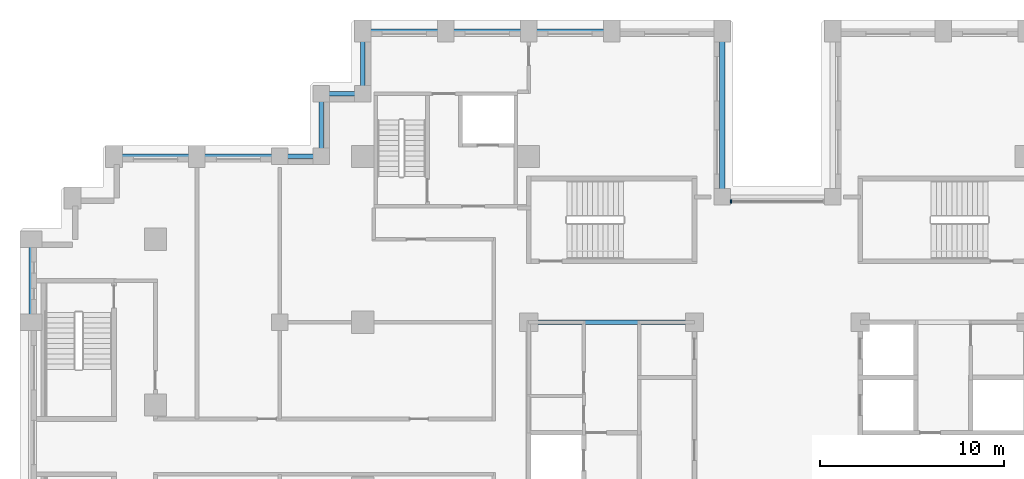
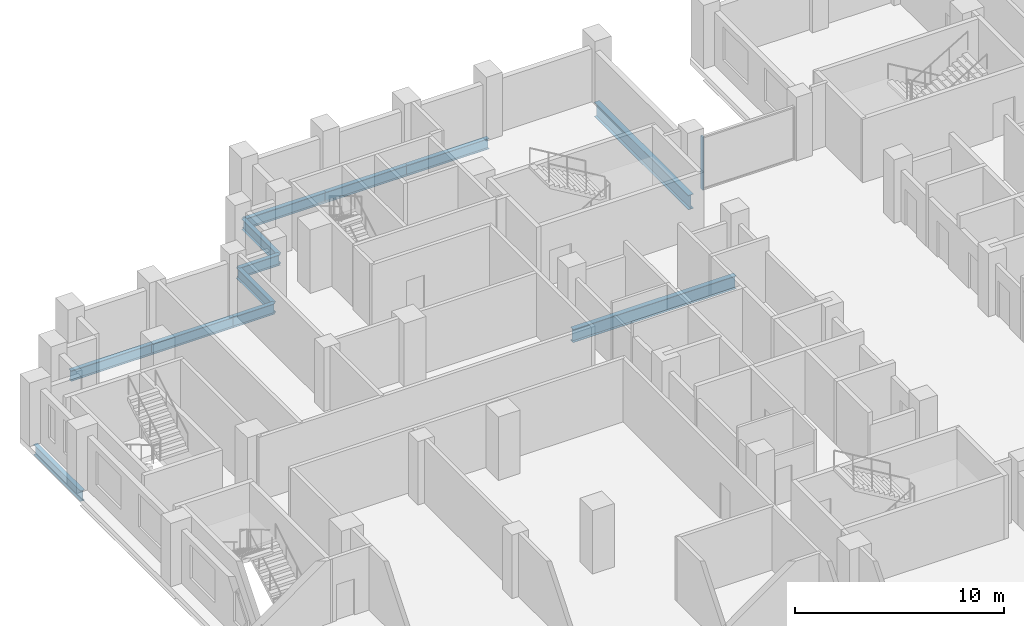
# One storey, part 3 of 16: 12 beams, 1 member, 1 element without a shape of its own.
"""IFC4 building model written with IfcOpenShell, lengths in metres."""

from ifc_helpers import new_model, si_unit, direction, frame, origin, origin_2d, place, context, subcontext, project, spatial, rectangle, i_section, extrude, material, layer, layer_set, material_profile, profile_set, type_object, element, aggregate, save


model = new_model("IFC4")

# Units and contexts
model_context = context("Model", 3, precision=1e-05, world=origin(), true_north=direction((0.0, 1.0)))
body_context = subcontext(model_context, "Body", "Model", "MODEL_VIEW")
ifc_project = project(units=[si_unit("LENGTHUNIT", "METRE"), si_unit("AREAUNIT", "SQUARE_METRE"), si_unit("VOLUMEUNIT", "CUBIC_METRE"), si_unit("PLANEANGLEUNIT", "RADIAN"), si_unit("MASSUNIT", "GRAM", prefix="KILO")], contexts=[model_context])

# Site, building, storey
site_placement = place(None, origin())
site = spatial("IfcSite", under=ifc_project, at=site_placement, CompositionType="ELEMENT")
building_placement = place(site_placement, origin())
building = spatial("IfcBuilding", under=site, at=building_placement, Name="Corbelhall Arena Tower", CompositionType="ELEMENT")
storey_placement = place(building_placement, frame((0.0, 0.0, 72.0)))
storey = spatial("IfcBuildingStorey", under=building, at=storey_placement, Name="L10", CompositionType="ELEMENT", Elevation=72.0)

# Curtain wall, member
ifc_material_1 = material(Name="Aluminium black anodised", Category="aluminium")
ifc_layer = layer(ifc_material_1, 0.199951171875)
ifc_layer_set = layer_set([ifc_layer], Name="EV-CW1 Slot back wall")
curtain_wall_type = type_object("IfcCurtainWallType", Name="EV-CW1 Slot back wall", PredefinedType="NOTDEFINED", material=ifc_layer_set)
curtain_wall_placement = place(storey_placement, origin())
curtain_wall = element("IfcCurtainWall", 1, at=curtain_wall_placement, inside=storey, type_object=curtain_wall_type, Name="Curtain wall CW1", PredefinedType="NOTDEFINED")
ifc_material_profile_1 = material_profile(ifc_material_1, rectangle(XDim=0.199951171875, YDim=0.074951171875, at=origin_2d()))
ifc_profile_set_1 = profile_set([ifc_material_profile_1], Name="Aluminium black anodised")
member_type = type_object("IfcMemberType", Name="EV-CW1-MULLION", PredefinedType="MULLION", material=ifc_profile_set_1)
member_placement = place(storey_placement, frame((-2.512451171875, 15.550048828125, 0.0), z_axis=(0.0, 0.0, 1.0), x_axis=(0.0, -1.0, 0.0)))
member = element("IfcMember", 2, at=member_placement, type_object=member_type, Name="CW1 mullion 2", PredefinedType="MULLION", context=body_context, shape_type="SweptSolid", body=[
    extrude(rectangle(XDim=0.199951171875, YDim=0.074951171875, at=origin_2d()), origin(), (0.0, 0.0, 1.0), 3.10009765625),
])
aggregate(curtain_wall, [member])

# Beams
ifc_material_2 = material(Name="Steel ASTM A992 Gr50", Category="steel")
ifc_material_profile_2 = material_profile(ifc_material_2, i_section(OverallWidth=0.2666015625, OverallDepth=0.761962890625, WebThickness=0.014404296875, FlangeThickness=0.021484375, at=origin_2d()))
ifc_profile_set_2 = profile_set([ifc_material_profile_2], Name="Steel ASTM A992 Gr50")
beam_type_1 = type_object("IfcBeamType", Name="ST-BEAM-W30x116", PredefinedType="BEAM", material=ifc_profile_set_2)
beam_1_placement = place(storey_placement, frame((-13.5, 9.0, -0.680908203125), z_axis=(1.0, 0.0, 0.0), x_axis=(0.0, 1.0, 0.0)))
element("IfcBeam", 3, at=beam_1_placement, inside=storey, type_object=beam_type_1, Name="Beam CEW 6", PredefinedType="BEAM", context=body_context, shape_type="SweptSolid", body=[
    extrude(i_section(OverallWidth=0.2666015625, OverallDepth=0.761962890625, WebThickness=0.014404296875, FlangeThickness=0.021484375, at=origin_2d()), origin(), (0.0, 0.0, 1.0), 9.0),
])
ifc_material_profile_3 = material_profile(ifc_material_2, i_section(OverallWidth=0.23046875, OverallDepth=0.6171875, WebThickness=0.01318359375, FlangeThickness=0.022216796875, at=origin_2d()))
ifc_profile_set_3 = profile_set([ifc_material_profile_3], Name="Steel ASTM A992 Gr50")
beam_type_2 = type_object("IfcBeamType", Name="ST-SPANDREL-W24x94", PredefinedType="SPANDREL", material=ifc_profile_set_3)
for number, where, z_axis, x_axis, name in (
    (4, (-40.5, 9.0, -0.608642578125), (0.0, 1.0, 0.0), (-1.0, 0.0, 0.0), "Beam SP 2"),
    (5, (-31.5, 18.0, -0.608642578125), (1.0, 0.0, 0.0), (0.0, 1.0, 0.0), "Beam SP 5"),
    (6, (-36.0, 18.0, -0.608642578125), (1.0, 0.0, 0.0), (0.0, 1.0, 0.0), "Beam SP 6"),
    (7, (-13.5, 24.800048828125, -0.608642578125), (1.0, 0.0, 0.0), (0.0, 1.0, 0.0), "Beam SP 24"),
    (8, (-18.0, 24.800048828125, -0.608642578125), (1.0, 0.0, 0.0), (0.0, 1.0, 0.0), "Beam SP 25"),
    (9, (-22.5, 24.800048828125, -0.608642578125), (1.0, 0.0, 0.0), (0.0, 1.0, 0.0), "Beam SP 26"),
):
    element("IfcBeam", number, at=place(storey_placement, frame(where, z_axis=z_axis, x_axis=x_axis)), inside=storey, type_object=beam_type_2, Name=name, PredefinedType="SPANDREL", context=body_context, shape_type="SweptSolid", body=[
        extrude(i_section(OverallWidth=0.23046875, OverallDepth=0.6171875, WebThickness=0.01318359375, FlangeThickness=0.022216796875, at=origin_2d()), origin(), (0.0, 0.0, 1.0), 4.5),
    ])
beam_2_placement = place(storey_placement, frame((-27.0, 18.0, -0.608642578125), z_axis=(1.0, 0.0, 0.0), x_axis=(0.0, 1.0, 0.0)))
element("IfcBeam", 10, at=beam_2_placement, inside=storey, type_object=beam_type_2, Name="Beam SP 37", PredefinedType="SPANDREL", context=body_context, shape_type="SweptSolid", body=[
    extrude(i_section(OverallWidth=0.23046875, OverallDepth=0.6171875, WebThickness=0.01318359375, FlangeThickness=0.022216796875, at=origin_2d()), origin(), (0.0, 0.0, 1.0), 2.25),
])
beam_3_placement = place(storey_placement, frame((-22.5, 21.39990234375, -0.608642578125), z_axis=(0.0, 1.0, 0.0), x_axis=(-1.0, 0.0, 0.0)))
element("IfcBeam", 11, at=beam_3_placement, inside=storey, type_object=beam_type_2, Name="Beam SP 46", PredefinedType="SPANDREL", context=body_context, shape_type="SweptSolid", body=[
    extrude(i_section(OverallWidth=0.23046875, OverallDepth=0.6171875, WebThickness=0.01318359375, FlangeThickness=0.022216796875, at=origin_2d()), origin(), (0.0, 0.0, 1.0), 3.400146484375),
])
beam_4_placement = place(storey_placement, frame((-24.75, 21.39990234375, -0.608642578125), z_axis=(1.0, 0.0, 0.0), x_axis=(0.0, 1.0, 0.0)))
element("IfcBeam", 12, at=beam_4_placement, inside=storey, type_object=beam_type_2, Name="Beam SP 47", PredefinedType="SPANDREL", context=body_context, shape_type="SweptSolid", body=[
    extrude(i_section(OverallWidth=0.23046875, OverallDepth=0.6171875, WebThickness=0.01318359375, FlangeThickness=0.022216796875, at=origin_2d()), origin(), (0.0, 0.0, 1.0), 2.25),
])
beam_5_placement = place(storey_placement, frame((-24.75, 18.0, -0.608642578125), z_axis=(0.0, 1.0, 0.0), x_axis=(-1.0, 0.0, 0.0)))
element("IfcBeam", 13, at=beam_5_placement, inside=storey, type_object=beam_type_2, Name="Beam SP 48", PredefinedType="SPANDREL", context=body_context, shape_type="SweptSolid", body=[
    extrude(i_section(OverallWidth=0.23046875, OverallDepth=0.6171875, WebThickness=0.01318359375, FlangeThickness=0.022216796875, at=origin_2d()), origin(), (0.0, 0.0, 1.0), 3.39990234375),
])
ifc_material_profile_4 = material_profile(ifc_material_2, i_section(OverallWidth=0.2919921875, OverallDepth=0.845703125, WebThickness=0.015380859375, FlangeThickness=0.0244140625, at=origin_2d()))
ifc_profile_set_4 = profile_set([ifc_material_profile_4], Name="Steel ASTM A992 Gr50")
beam_type_3 = type_object("IfcBeamType", Name="ST-SPANDREL-W33x141", PredefinedType="SPANDREL", material=ifc_profile_set_4)
beam_6_placement = place(storey_placement, frame((-3.0, 24.800048828125, -0.722900390625), z_axis=(0.0, -1.0, 0.0), x_axis=(1.0, 0.0, 0.0)))
element("IfcBeam", 14, at=beam_6_placement, inside=storey, type_object=beam_type_3, Name="Beam SP 22", PredefinedType="SPANDREL", context=body_context, shape_type="SweptSolid", body=[
    extrude(i_section(OverallWidth=0.2919921875, OverallDepth=0.845703125, WebThickness=0.015380859375, FlangeThickness=0.0244140625, at=origin_2d()), origin(), (0.0, 0.0, 1.0), 9.0),
])

save(model, "model.ifc")
